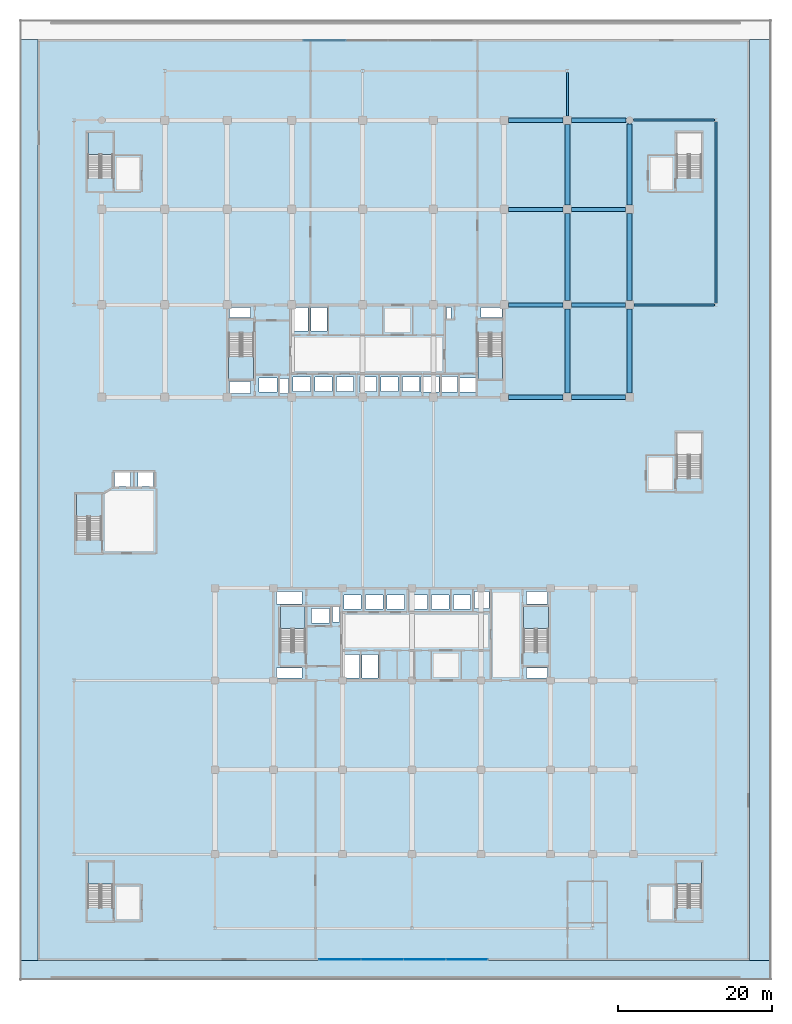
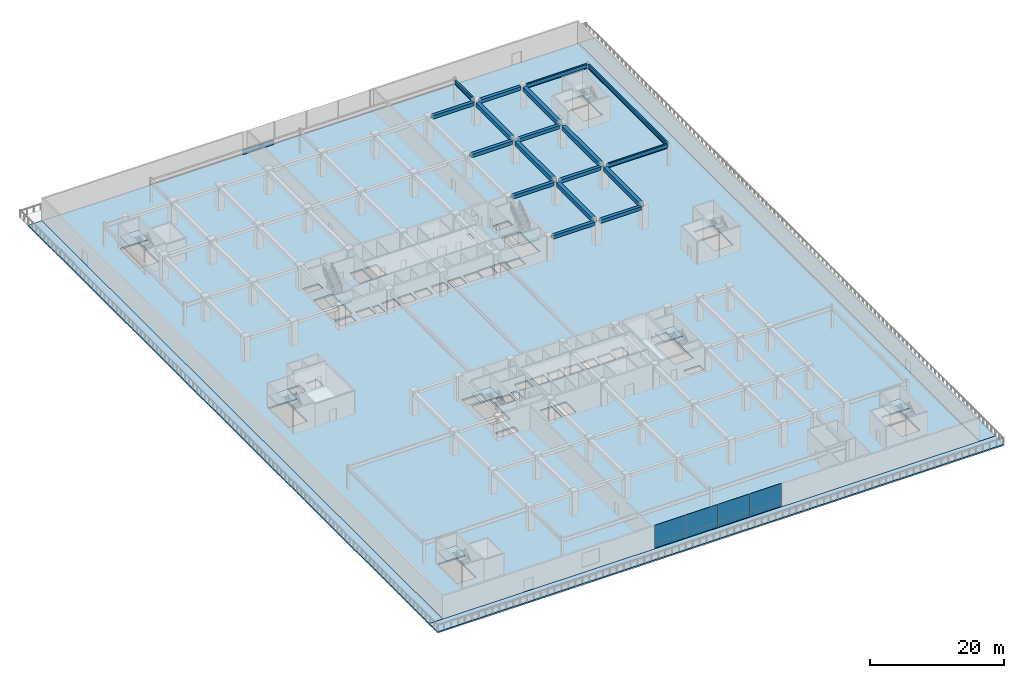
# One storey, part 16 of 40: 18 beams, 12 slabs, 9 plates, 10 elements without a shape of their own.
"""IFC4 building model written with IfcOpenShell, lengths in metres."""

from ifc_helpers import new_model, si_unit, direction, frame, origin, origin_2d, place, context, subcontext, project, spatial, polyline, rectangle, i_section, outline, extrude, material, layer, layer_set, material_profile, profile_set, type_object, element, aggregate, save


model = new_model("IFC4")

# Units and contexts
model_context = context("Model", 3, precision=1e-05, world=origin(), true_north=direction((0.0, 1.0)))
body_context = subcontext(model_context, "Body", "Model", "MODEL_VIEW")
ifc_project = project(units=[si_unit("LENGTHUNIT", "METRE"), si_unit("AREAUNIT", "SQUARE_METRE"), si_unit("VOLUMEUNIT", "CUBIC_METRE"), si_unit("PLANEANGLEUNIT", "RADIAN"), si_unit("MASSUNIT", "GRAM", prefix="KILO")], contexts=[model_context])

# Site, building, storey
site_placement = place(None, origin())
site = spatial("IfcSite", under=ifc_project, at=site_placement, CompositionType="ELEMENT")
building_placement = place(site_placement, origin())
building = spatial("IfcBuilding", under=site, at=building_placement, Name="Korimba Cascade Residences", CompositionType="ELEMENT")
storey_placement = place(building_placement, frame((0.0, 0.0, 14.5)))
storey = spatial("IfcBuildingStorey", under=building, at=storey_placement, Name="L03", CompositionType="ELEMENT", Elevation=14.5)

# Beams
ifc_material_1 = material(Name="Concrete C50/60", Category="concrete")
ifc_material_profile_1 = material_profile(ifc_material_1, rectangle(XDim=0.550048828125, YDim=0.60009765625, at=origin_2d()), Name="Concrete C50/60")
ifc_profile_set_1 = profile_set([ifc_material_profile_1], Name="Concrete C50/60")
beam_type_1 = type_object("IfcBeamType", Name="BM-RC-B600", PredefinedType="BEAM", material=ifc_profile_set_1)
beam_1_placement = place(storey_placement, frame((112.64990234375, 55.199951171875, 3.8798828125), z_axis=(1.0, 0.0, 0.0), x_axis=(0.0, 1.0, 0.0)))
element("IfcBeam", 1, at=beam_1_placement, inside=storey, type_object=beam_type_1, Name="L03 T1 E-W Girder Y1 Bay 7", PredefinedType="BEAM", context=body_context, shape_type="SweptSolid", body=[
    extrude(rectangle(XDim=0.550048828125, YDim=0.60009765625, at=origin_2d()), origin(), (0.0, 0.0, 1.0), 7.10009765625),
])
beam_2_placement = place(storey_placement, frame((120.85009765625, 55.199951171875, 3.8798828125), z_axis=(1.0, 0.0, 0.0), x_axis=(0.0, 1.0, 0.0)))
element("IfcBeam", 2, at=beam_2_placement, inside=storey, type_object=beam_type_1, Name="L03 T1 E-W Girder Y1 Bay 8", PredefinedType="BEAM", context=body_context, shape_type="SweptSolid", body=[
    extrude(rectangle(XDim=0.550048828125, YDim=0.60009765625, at=origin_2d()), origin(), (0.0, 0.0, 1.0), 7.0),
])
beam_3_placement = place(storey_placement, frame((112.64990234375, 67.199951171875, 3.8798828125), z_axis=(1.0, 0.0, 0.0), x_axis=(0.0, 1.0, 0.0)))
element("IfcBeam", 3, at=beam_3_placement, inside=storey, type_object=beam_type_1, Name="L03 T1 E-W Girder Y2 Bay 7", PredefinedType="BEAM", context=body_context, shape_type="SweptSolid", body=[
    extrude(rectangle(XDim=0.550048828125, YDim=0.60009765625, at=origin_2d()), origin(), (0.0, 0.0, 1.0), 7.10009765625),
])
beam_4_placement = place(storey_placement, frame((120.85009765625, 67.199951171875, 3.8798828125), z_axis=(1.0, 0.0, 0.0), x_axis=(0.0, 1.0, 0.0)))
element("IfcBeam", 4, at=beam_4_placement, inside=storey, type_object=beam_type_1, Name="L03 T1 E-W Girder Y2 Bay 8", PredefinedType="BEAM", context=body_context, shape_type="SweptSolid", body=[
    extrude(rectangle(XDim=0.550048828125, YDim=0.60009765625, at=origin_2d()), origin(), (0.0, 0.0, 1.0), 7.0),
])
beam_5_placement = place(storey_placement, frame((112.64990234375, 79.60009765625, 3.8798828125), z_axis=(1.0, 0.0, 0.0), x_axis=(0.0, 1.0, 0.0)))
element("IfcBeam", 5, at=beam_5_placement, inside=storey, type_object=beam_type_1, Name="L03 T1 E-W Girder Y3 Bay 7", PredefinedType="BEAM", context=body_context, shape_type="SweptSolid", body=[
    extrude(rectangle(XDim=0.550048828125, YDim=0.60009765625, at=origin_2d()), origin(), (0.0, 0.0, 1.0), 7.10009765625),
])
beam_6_placement = place(storey_placement, frame((120.85009765625, 79.60009765625, 3.8798828125), z_axis=(1.0, 0.0, 0.0), x_axis=(0.0, 1.0, 0.0)))
element("IfcBeam", 6, at=beam_6_placement, inside=storey, type_object=beam_type_1, Name="L03 T1 E-W Girder Y3 Bay 8", PredefinedType="BEAM", context=body_context, shape_type="SweptSolid", body=[
    extrude(rectangle(XDim=0.550048828125, YDim=0.60009765625, at=origin_2d()), origin(), (0.0, 0.0, 1.0), 7.0),
])
beam_7_placement = place(storey_placement, frame((112.64990234375, 91.199951171875, 3.8798828125), z_axis=(1.0, 0.0, 0.0), x_axis=(0.0, 1.0, 0.0)))
element("IfcBeam", 7, at=beam_7_placement, inside=storey, type_object=beam_type_1, Name="L03 T1 E-W Girder Y4 Bay 7", PredefinedType="BEAM", context=body_context, shape_type="SweptSolid", body=[
    extrude(rectangle(XDim=0.550048828125, YDim=0.60009765625, at=origin_2d()), origin(), (0.0, 0.0, 1.0), 7.10009765625),
])
beam_8_placement = place(storey_placement, frame((120.85009765625, 91.199951171875, 3.8798828125), z_axis=(1.0, 0.0, 0.0), x_axis=(0.0, 1.0, 0.0)))
element("IfcBeam", 8, at=beam_8_placement, inside=storey, type_object=beam_type_1, Name="L03 T1 E-W Girder Y4 Bay 8", PredefinedType="BEAM", context=body_context, shape_type="SweptSolid", body=[
    extrude(rectangle(XDim=0.550048828125, YDim=0.60009765625, at=origin_2d()), origin(), (0.0, 0.0, 1.0), 7.074951171875),
])
ifc_material_profile_2 = material_profile(ifc_material_1, rectangle(XDim=0.64990234375, YDim=0.75, at=origin_2d()), Name="Concrete C50/60")
ifc_profile_set_2 = profile_set([ifc_material_profile_2], Name="Concrete C50/60")
beam_type_2 = type_object("IfcBeamType", Name="BM-RC-G750", PredefinedType="BEAM", material=ifc_profile_set_2)
beam_9_placement = place(storey_placement, frame((120.300048828125, 55.75, 3.804931640625), z_axis=(0.0, 1.0, 0.0), x_axis=(-1.0, 0.0, 0.0)))
element("IfcBeam", 9, at=beam_9_placement, inside=storey, type_object=beam_type_2, Name="L03 T1 N-S Girder X8 Seg 1", PredefinedType="BEAM", context=body_context, shape_type="SweptSolid", body=[
    extrude(rectangle(XDim=0.64990234375, YDim=0.75, at=origin_2d()), origin(), (0.0, 0.0, 1.0), 10.89990234375),
])
beam_10_placement = place(storey_placement, frame((120.300048828125, 67.75, 3.804931640625), z_axis=(0.0, 1.0, 0.0), x_axis=(-1.0, 0.0, 0.0)))
element("IfcBeam", 10, at=beam_10_placement, inside=storey, type_object=beam_type_2, Name="L03 T1 N-S Girder X8 Seg 2", PredefinedType="BEAM", context=body_context, shape_type="SweptSolid", body=[
    extrude(rectangle(XDim=0.64990234375, YDim=0.75, at=origin_2d()), origin(), (0.0, 0.0, 1.0), 11.300048828125),
])
beam_11_placement = place(storey_placement, frame((120.300048828125, 80.14990234375, 3.804931640625), z_axis=(0.0, 1.0, 0.0), x_axis=(-1.0, 0.0, 0.0)))
element("IfcBeam", 11, at=beam_11_placement, inside=storey, type_object=beam_type_2, Name="L03 T1 N-S Girder X8 Seg 3", PredefinedType="BEAM", context=body_context, shape_type="SweptSolid", body=[
    extrude(rectangle(XDim=0.64990234375, YDim=0.75, at=origin_2d()), origin(), (0.0, 0.0, 1.0), 10.5),
])
beam_12_placement = place(storey_placement, frame((128.39990234375, 55.75, 3.804931640625), z_axis=(0.0, 1.0, 0.0), x_axis=(-1.0, 0.0, 0.0)))
element("IfcBeam", 12, at=beam_12_placement, inside=storey, type_object=beam_type_2, Name="L03 T1 N-S Girder X9 Seg 1", PredefinedType="BEAM", context=body_context, shape_type="SweptSolid", body=[
    extrude(rectangle(XDim=0.64990234375, YDim=0.75, at=origin_2d()), origin(), (0.0, 0.0, 1.0), 10.89990234375),
])
beam_13_placement = place(storey_placement, frame((128.39990234375, 67.75, 3.804931640625), z_axis=(0.0, 1.0, 0.0), x_axis=(-1.0, 0.0, 0.0)))
element("IfcBeam", 13, at=beam_13_placement, inside=storey, type_object=beam_type_2, Name="L03 T1 N-S Girder X9 Seg 2", PredefinedType="BEAM", context=body_context, shape_type="SweptSolid", body=[
    extrude(rectangle(XDim=0.64990234375, YDim=0.75, at=origin_2d()), origin(), (0.0, 0.0, 1.0), 11.300048828125),
])
beam_14_placement = place(storey_placement, frame((128.39990234375, 80.14990234375, 3.804931640625), z_axis=(0.0, 1.0, 0.0), x_axis=(-1.0, 0.0, 0.0)))
element("IfcBeam", 14, at=beam_14_placement, inside=storey, type_object=beam_type_2, Name="L03 T1 N-S Girder X9 Seg 3", PredefinedType="BEAM", context=body_context, shape_type="SweptSolid", body=[
    extrude(rectangle(XDim=0.64990234375, YDim=0.75, at=origin_2d()), origin(), (0.0, 0.0, 1.0), 10.5751953125),
])
ifc_material_2 = material(Name="Steel S355", Category="steel")
ifc_material_profile_3 = material_profile(ifc_material_2, i_section(OverallWidth=0.26806640625, OverallDepth=0.769775390625, WebThickness=0.015625, FlangeThickness=0.025390625, FilletRadius=0.0166015625, at=origin_2d()), Name="Steel S355")
ifc_profile_set_3 = profile_set([ifc_material_profile_3], Name="Steel S355")
beam_type_3 = type_object("IfcBeamType", Name="BM-STL-UB762", PredefinedType="BEAM", material=ifc_profile_set_3)
beam_15_placement = place(storey_placement, frame((128.949951171875, 67.199951171875, 3.795166015625), z_axis=(1.0, 0.0, 0.0), x_axis=(0.0, 1.0, 0.0)))
element("IfcBeam", 15, at=beam_15_placement, inside=storey, type_object=beam_type_3, Name="L03 Podium Frame Girder E3", PredefinedType="BEAM", context=body_context, shape_type="SweptSolid", body=[
    extrude(i_section(OverallWidth=0.26806640625, OverallDepth=0.769775390625, WebThickness=0.015625, FlangeThickness=0.025390625, FilletRadius=0.0166015625, at=origin_2d()), origin(), (0.0, 0.0, 1.0), 10.450439453125),
])
beam_16_placement = place(storey_placement, frame((128.875, 91.199951171875, 3.795166015625), z_axis=(1.0, 0.0, 0.0), x_axis=(0.0, 1.0, 0.0)))
element("IfcBeam", 16, at=beam_16_placement, inside=storey, type_object=beam_type_3, Name="L03 Podium Frame Girder E4", PredefinedType="BEAM", context=body_context, shape_type="SweptSolid", body=[
    extrude(i_section(OverallWidth=0.26806640625, OverallDepth=0.769775390625, WebThickness=0.015625, FlangeThickness=0.025390625, FilletRadius=0.0166015625, at=origin_2d()), origin(), (0.0, 0.0, 1.0), 10.525390625),
])
beam_17_placement = place(storey_placement, frame((139.60009765625, 67.396728515625, 3.795166015625), z_axis=(0.0, 1.0, 0.0), x_axis=(-1.0, 0.0, 0.0)))
element("IfcBeam", 17, at=beam_17_placement, inside=storey, type_object=beam_type_3, Name="L03 Podium Frame Girder ES", PredefinedType="BEAM", context=body_context, shape_type="SweptSolid", body=[
    extrude(i_section(OverallWidth=0.26806640625, OverallDepth=0.769775390625, WebThickness=0.015625, FlangeThickness=0.025390625, FilletRadius=0.0166015625, at=origin_2d()), origin(), (0.0, 0.0, 1.0), 23.6064453125),
])
beam_18_placement = place(storey_placement, frame((120.300048828125, 91.75, 3.795166015625), z_axis=(0.0, 1.0, 0.0), x_axis=(-1.0, 0.0, 0.0)))
element("IfcBeam", 18, at=beam_18_placement, inside=storey, type_object=beam_type_3, Name="L03 Podium Frame Girder N3", PredefinedType="BEAM", context=body_context, shape_type="SweptSolid", body=[
    extrude(i_section(OverallWidth=0.26806640625, OverallDepth=0.769775390625, WebThickness=0.015625, FlangeThickness=0.025390625, FilletRadius=0.0166015625, at=origin_2d()), origin(), (0.0, 0.0, 1.0), 5.6533203125),
])

# Curtain wall, plates
ifc_material_3 = material(Name="Anodised Aluminium Curtain Wall Framing", Category="aluminium")
ifc_layer_1 = layer(ifc_material_3, 0.179931640625)
ifc_layer_set_1 = layer_set([ifc_layer_1], Name="Anodised Aluminium Curtain Wall Framing")
curtain_wall_type = type_object("IfcCurtainWallType", Name="CW-POD-SYS1", PredefinedType="NOTDEFINED", material=ifc_layer_set_1)
curtain_wall_1_placement = place(storey_placement, origin())
curtain_wall_1 = element("IfcCurtainWall", 19, at=curtain_wall_1_placement, inside=storey, type_object=curtain_wall_type, Name="L03 Curtain Wall CW-L03-POD-S", PredefinedType="NOTDEFINED")
ifc_material_4 = material(Name="Insulated Stone-Tone Spandrel Panel", Category="masonry")
ifc_layer_2 = layer(ifc_material_4, 0.0400390625)
ifc_layer_set_2 = layer_set([ifc_layer_2], Name="Insulated Stone-Tone Spandrel Panel")
plate_type_1 = type_object("IfcPlateType", Name="CWP-SPN-40", PredefinedType="USERDEFINED", material=ifc_layer_set_2)
plate_1_placement = place(storey_placement, frame((90.77001953125, -17.85009765625, 0.0), z_axis=(0.0, 0.0, 1.0), x_axis=(1.0, 0.0, 0.0)))
plate_1 = element("IfcPlate", 20, at=plate_1_placement, type_object=plate_type_1, Name="CW-L03-POD-S Spandrel Panel 1", ObjectType="SPANDREL", PredefinedType="USERDEFINED", context=body_context, shape_type="SweptSolid", body=[
    extrude(rectangle(XDim=5.409912109375, YDim=0.0400390625, at=origin_2d()), origin(), (0.0, 0.0, 1.0), 0.89990234375),
])
plate_2_placement = place(storey_placement, frame((96.25, -17.85009765625, 0.0), z_axis=(0.0, 0.0, 1.0), x_axis=(1.0, 0.0, 0.0)))
plate_2 = element("IfcPlate", 21, at=plate_2_placement, type_object=plate_type_1, Name="CW-L03-POD-S Spandrel Panel 2", ObjectType="SPANDREL", PredefinedType="USERDEFINED", context=body_context, shape_type="SweptSolid", body=[
    extrude(rectangle(XDim=5.449951171875, YDim=0.0400390625, at=origin_2d()), origin(), (0.0, 0.0, 1.0), 0.89990234375),
])
plate_3_placement = place(storey_placement, frame((101.75, -17.85009765625, 0.0), z_axis=(0.0, 0.0, 1.0), x_axis=(1.0, 0.0, 0.0)))
plate_3 = element("IfcPlate", 22, at=plate_3_placement, type_object=plate_type_1, Name="CW-L03-POD-S Spandrel Panel 3", ObjectType="SPANDREL", PredefinedType="USERDEFINED", context=body_context, shape_type="SweptSolid", body=[
    extrude(rectangle(XDim=5.449951171875, YDim=0.0400390625, at=origin_2d()), origin(), (0.0, 0.0, 1.0), 0.89990234375),
])
plate_4_placement = place(storey_placement, frame((107.22998046875, -17.85009765625, 0.0), z_axis=(0.0, 0.0, 1.0), x_axis=(1.0, 0.0, 0.0)))
plate_4 = element("IfcPlate", 23, at=plate_4_placement, type_object=plate_type_1, Name="CW-L03-POD-S Spandrel Panel 4", ObjectType="SPANDREL", PredefinedType="USERDEFINED", context=body_context, shape_type="SweptSolid", body=[
    extrude(rectangle(XDim=5.409912109375, YDim=0.0400390625, at=origin_2d()), origin(), (0.0, 0.0, 1.0), 0.89990234375),
])

# Curtain wall, plate
curtain_wall_2_placement = place(storey_placement, origin())
curtain_wall_2 = element("IfcCurtainWall", 24, at=curtain_wall_2_placement, inside=storey, type_object=curtain_wall_type, Name="L03 Curtain Wall CW-L03-POD-N", PredefinedType="NOTDEFINED")
plate_5_placement = place(storey_placement, frame((88.77001953125, 101.550048828125, 0.0), z_axis=(0.0, 0.0, 1.0), x_axis=(-1.0, 0.0, 0.0)))
plate_5 = element("IfcPlate", 25, at=plate_5_placement, type_object=plate_type_1, Name="CW-L03-POD-N Spandrel Panel 4", ObjectType="SPANDREL", PredefinedType="USERDEFINED", context=body_context, shape_type="SweptSolid", body=[
    extrude(rectangle(XDim=5.409912109375, YDim=0.0400390625, at=origin_2d()), origin(), (0.0, 0.0, 1.0), 0.89990234375),
])
aggregate(curtain_wall_2, [plate_5])

# Plate
ifc_material_5 = material(Name="Low-E Double Glazing Unit", Category="glass")
ifc_layer_3 = layer(ifc_material_5, 0.028076171875)
ifc_layer_set_3 = layer_set([ifc_layer_3], Name="Low-E Double Glazing Unit")
plate_type_2 = type_object("IfcPlateType", Name="CWP-VIS-28", PredefinedType="CURTAIN_PANEL", material=ifc_layer_set_3)
plate_6_placement = place(storey_placement, frame((90.77001953125, -17.85009765625, 0.89990234375), z_axis=(0.0, 0.0, 1.0), x_axis=(1.0, 0.0, 0.0)))
plate_6 = element("IfcPlate", 26, at=plate_6_placement, type_object=plate_type_2, Name="CW-L03-POD-S Vision Glass Panel 1", PredefinedType="CURTAIN_PANEL", context=body_context, shape_type="SweptSolid", body=[
    extrude(rectangle(XDim=5.409912109375, YDim=0.028076171875, at=origin_2d()), origin(), (0.0, 0.0, 1.0), 3.280029296875),
])

plate_7_placement = place(storey_placement, frame((96.25, -17.85009765625, 0.89990234375), z_axis=(0.0, 0.0, 1.0), x_axis=(1.0, 0.0, 0.0)))
plate_7 = element("IfcPlate", 27, at=plate_7_placement, type_object=plate_type_2, Name="CW-L03-POD-S Vision Glass Panel 2", PredefinedType="CURTAIN_PANEL", context=body_context, shape_type="SweptSolid", body=[
    extrude(rectangle(XDim=5.449951171875, YDim=0.028076171875, at=origin_2d()), origin(), (0.0, 0.0, 1.0), 3.280029296875),
])

plate_8_placement = place(storey_placement, frame((101.75, -17.85009765625, 0.89990234375), z_axis=(0.0, 0.0, 1.0), x_axis=(1.0, 0.0, 0.0)))
plate_8 = element("IfcPlate", 28, at=plate_8_placement, type_object=plate_type_2, Name="CW-L03-POD-S Vision Glass Panel 3", PredefinedType="CURTAIN_PANEL", context=body_context, shape_type="SweptSolid", body=[
    extrude(rectangle(XDim=5.449951171875, YDim=0.028076171875, at=origin_2d()), origin(), (0.0, 0.0, 1.0), 3.280029296875),
])

plate_9_placement = place(storey_placement, frame((107.22998046875, -17.85009765625, 0.89990234375), z_axis=(0.0, 0.0, 1.0), x_axis=(1.0, 0.0, 0.0)))
plate_9 = element("IfcPlate", 29, at=plate_9_placement, type_object=plate_type_2, Name="CW-L03-POD-S Vision Glass Panel 4", PredefinedType="CURTAIN_PANEL", context=body_context, shape_type="SweptSolid", body=[
    extrude(rectangle(XDim=5.409912109375, YDim=0.028076171875, at=origin_2d()), origin(), (0.0, 0.0, 1.0), 3.280029296875),
])

aggregate(curtain_wall_1, [plate_1, plate_6, plate_2, plate_7, plate_3, plate_8, plate_4, plate_9])

# Stair, slab
stair_type_1 = type_object("IfcStairType", Name="STR-W1-24R-1875", PredefinedType="HALF_TURN_STAIR", material=ifc_material_1)
stair_1_placement = place(storey_placement, origin())
stair_1 = element("IfcStair", 30, at=stair_1_placement, inside=storey, type_object=stair_type_1, Name="L03 Tower 1 West Fire Stair ST-W1", PredefinedType="HALF_TURN_STAIR")
ifc_layer_4 = layer(ifc_material_1, 0.199951171875)
ifc_layer_set_4 = layer_set([ifc_layer_4], Name="Concrete C50/60")
slab_type_1 = type_object("IfcSlabType", Name="SLB-LND-220", PredefinedType="LANDING", material=ifc_layer_set_4)
slab_1_placement = place(storey_placement, frame((0.0, 0.0, 2.050048828125)))
slab_1 = element("IfcSlab", 31, at=slab_1_placement, type_object=slab_type_1, Name="ST-W1 landing 1", PredefinedType="LANDING", context=body_context, shape_type="SweptSolid", body=[
    extrude(outline(polyline([(76.300048828125, 60.469970703125), (76.300048828125, 57.60009765625), (79.5400390625, 57.60009765625), (79.5400390625, 60.469970703125), (76.300048828125, 60.469970703125)])), origin(), (0.0, 0.0, 1.0), 0.199951171875),
])
aggregate(stair_1, [slab_1])

stair_type_2 = type_object("IfcStairType", Name="STR-W2-24R-1875", PredefinedType="HALF_TURN_STAIR", material=ifc_material_1)
stair_2_placement = place(storey_placement, origin())
stair_2 = element("IfcStair", 32, at=stair_2_placement, inside=storey, type_object=stair_type_2, Name="L03 Tower 1 East Fire Stair ST-W2", PredefinedType="HALF_TURN_STAIR")
slab_2_placement = place(storey_placement, frame((0.0, 0.0, 2.050048828125)))
slab_2 = element("IfcSlab", 33, at=slab_2_placement, type_object=slab_type_1, Name="ST-W2 landing 1", PredefinedType="LANDING", context=body_context, shape_type="SweptSolid", body=[
    extrude(outline(polyline([(108.659912109375, 60.469970703125), (108.659912109375, 57.60009765625), (111.89990234375, 57.60009765625), (111.89990234375, 60.469970703125), (108.659912109375, 60.469970703125)])), origin(), (0.0, 0.0, 1.0), 0.199951171875),
])
aggregate(stair_2, [slab_2])

stair_type_3 = type_object("IfcStairType", Name="STR-E1-24R-1875", PredefinedType="HALF_TURN_STAIR", material=ifc_material_1)
stair_3_placement = place(storey_placement, origin())
stair_3 = element("IfcStair", 34, at=stair_3_placement, inside=storey, type_object=stair_type_3, Name="L03 Tower 2 West Fire Stair ST-E1", PredefinedType="HALF_TURN_STAIR")
slab_3_placement = place(storey_placement, frame((0.0, 0.0, 2.050048828125)))
slab_3 = element("IfcSlab", 35, at=slab_3_placement, type_object=slab_type_1, Name="ST-E1 landing 1", PredefinedType="LANDING", context=body_context, shape_type="SweptSolid", body=[
    extrude(outline(polyline([(86.239990234375, 25.1298828125), (86.239990234375, 28.0), (83.0, 28.0), (83.0, 25.1298828125), (86.239990234375, 25.1298828125)])), origin(), (0.0, 0.0, 1.0), 0.199951171875),
])
aggregate(stair_3, [slab_3])

stair_type_4 = type_object("IfcStairType", Name="STR-E2-24R-1875", PredefinedType="HALF_TURN_STAIR", material=ifc_material_1)
stair_4_placement = place(storey_placement, origin())
stair_4 = element("IfcStair", 36, at=stair_4_placement, inside=storey, type_object=stair_type_4, Name="L03 Tower 2 East Fire Stair ST-E2", PredefinedType="HALF_TURN_STAIR")
slab_4_placement = place(storey_placement, frame((0.0, 0.0, 2.050048828125)))
slab_4 = element("IfcSlab", 37, at=slab_4_placement, type_object=slab_type_1, Name="ST-E2 landing 1", PredefinedType="LANDING", context=body_context, shape_type="SweptSolid", body=[
    extrude(outline(polyline([(117.840087890625, 25.1298828125), (117.840087890625, 28.0), (114.60009765625, 28.0), (114.60009765625, 25.1298828125), (117.840087890625, 25.1298828125)])), origin(), (0.0, 0.0, 1.0), 0.199951171875),
])
aggregate(stair_4, [slab_4])

stair_type_5 = type_object("IfcStairType", Name="STR-P1-24R-1875", PredefinedType="HALF_TURN_STAIR", material=ifc_material_1)
stair_5_placement = place(storey_placement, origin())
stair_5 = element("IfcStair", 38, at=stair_5_placement, inside=storey, type_object=stair_type_5, Name="L03 Podium West Fire Stair ST-P1", PredefinedType="HALF_TURN_STAIR")
slab_5_placement = place(storey_placement, frame((0.0, 0.0, 2.050048828125)))
slab_5 = element("IfcSlab", 39, at=slab_5_placement, type_object=slab_type_1, Name="ST-P1 landing 1", PredefinedType="LANDING", context=body_context, shape_type="SweptSolid", body=[
    extrude(outline(polyline([(59.739990234375, 39.72998046875), (59.739990234375, 42.60009765625), (56.5, 42.60009765625), (56.5, 39.72998046875), (59.739990234375, 39.72998046875)])), origin(), (0.0, 0.0, 1.0), 0.199951171875),
])
aggregate(stair_5, [slab_5])

stair_type_6 = type_object("IfcStairType", Name="STR-P3-24R-1875", PredefinedType="HALF_TURN_STAIR", material=ifc_material_1)
stair_6_placement = place(storey_placement, origin())
stair_6 = element("IfcStair", 40, at=stair_6_placement, inside=storey, type_object=stair_type_6, Name="L03 Podium South-West Corner Fire Stair ST-P3", PredefinedType="HALF_TURN_STAIR")
slab_6_placement = place(storey_placement, frame((0.0, 0.0, 2.050048828125)))
slab_6 = element("IfcSlab", 41, at=slab_6_placement, type_object=slab_type_1, Name="ST-P3 landing 1", PredefinedType="LANDING", context=body_context, shape_type="SweptSolid", body=[
    extrude(outline(polyline([(61.239990234375, -8.070068359375), (61.239990234375, -5.199951171875), (58.0, -5.199951171875), (58.0, -8.070068359375), (61.239990234375, -8.070068359375)])), origin(), (0.0, 0.0, 1.0), 0.199951171875),
])
aggregate(stair_6, [slab_6])

stair_type_7 = type_object("IfcStairType", Name="STR-P5-24R-1875", PredefinedType="HALF_TURN_STAIR", material=ifc_material_1)
stair_7_placement = place(storey_placement, origin())
stair_7 = element("IfcStair", 42, at=stair_7_placement, inside=storey, type_object=stair_type_7, Name="L03 Podium North-West Corner Fire Stair ST-P5", PredefinedType="HALF_TURN_STAIR")
slab_7_placement = place(storey_placement, frame((0.0, 0.0, 2.050048828125)))
slab_7 = element("IfcSlab", 43, at=slab_7_placement, type_object=slab_type_1, Name="ST-P5 landing 1", PredefinedType="LANDING", context=body_context, shape_type="SweptSolid", body=[
    extrude(outline(polyline([(61.239990234375, 86.72998046875), (61.239990234375, 89.60009765625), (58.0, 89.60009765625), (58.0, 86.72998046875), (61.239990234375, 86.72998046875)])), origin(), (0.0, 0.0, 1.0), 0.199951171875),
])
aggregate(stair_7, [slab_7])

stair_type_8 = type_object("IfcStairType", Name="STR-P6-24R-1875", PredefinedType="HALF_TURN_STAIR", material=ifc_material_1)
stair_8_placement = place(storey_placement, origin())
stair_8 = element("IfcStair", 44, at=stair_8_placement, inside=storey, type_object=stair_type_8, Name="L03 Podium South-East Corner Fire Stair ST-P6", PredefinedType="HALF_TURN_STAIR")
slab_8_placement = place(storey_placement, frame((0.0, 0.0, 2.050048828125)))
slab_8 = element("IfcSlab", 45, at=slab_8_placement, type_object=slab_type_1, Name="ST-P6 landing 1", PredefinedType="LANDING", context=body_context, shape_type="SweptSolid", body=[
    extrude(outline(polyline([(137.739990234375, -8.070068359375), (137.739990234375, -5.199951171875), (134.5, -5.199951171875), (134.5, -8.070068359375), (137.739990234375, -8.070068359375)])), origin(), (0.0, 0.0, 1.0), 0.199951171875),
])
aggregate(stair_8, [slab_8])

# Slabs
ifc_layer_5 = layer(ifc_material_1, 0.300048828125)
ifc_layer_set_5 = layer_set([ifc_layer_5], Name="Concrete C50/60")
slab_type_2 = type_object("IfcSlabType", Name="SLB-POD-300", PredefinedType="FLOOR", material=ifc_layer_set_5)
slab_9_placement = place(storey_placement, frame((0.0, 0.0, -0.300048828125)))
element("IfcSlab", 46, at=slab_9_placement, inside=storey, type_object=slab_type_2, Name="L03 Podium Floor Slab", PredefinedType="FLOOR", context=body_context, shape_type="SweptSolid", body=[
    extrude(outline(polyline([(51.5, -18.0), (144.0, -18.0), (144.0, 101.699951171875), (51.5, 101.699951171875), (51.5, -18.0)]), holes=[polyline([(76.300048828125, 63.514892578125), (76.300048828125, 57.60009765625), (79.5400390625, 57.60009765625), (79.5400390625, 63.514892578125), (76.300048828125, 63.514892578125)]), polyline([(108.659912109375, 63.514892578125), (108.659912109375, 57.60009765625), (111.89990234375, 57.60009765625), (111.89990234375, 63.514892578125), (108.659912109375, 63.514892578125)]), polyline([(86.239990234375, 22.0849609375), (86.239990234375, 28.0), (83.0, 28.0), (83.0, 22.0849609375), (86.239990234375, 22.0849609375)]), polyline([(117.840087890625, 22.0849609375), (117.840087890625, 28.0), (114.60009765625, 28.0), (114.60009765625, 22.0849609375), (117.840087890625, 22.0849609375)]), polyline([(59.739990234375, 36.68505859375), (59.739990234375, 42.60009765625), (56.5, 42.60009765625), (56.5, 36.68505859375), (59.739990234375, 36.68505859375)]), polyline([(137.739990234375, 44.68505859375), (137.739990234375, 50.60009765625), (134.5, 50.60009765625), (134.5, 44.68505859375), (137.739990234375, 44.68505859375)]), polyline([(61.239990234375, -11.114990234375), (61.239990234375, -5.199951171875), (58.0, -5.199951171875), (58.0, -11.114990234375), (61.239990234375, -11.114990234375)]), polyline([(137.739990234375, 83.68505859375), (137.739990234375, 89.60009765625), (134.5, 89.60009765625), (134.5, 83.68505859375), (137.739990234375, 83.68505859375)]), polyline([(61.239990234375, 83.68505859375), (61.239990234375, 89.60009765625), (58.0, 89.60009765625), (58.0, 83.68505859375), (61.239990234375, 83.68505859375)]), polyline([(137.739990234375, -11.114990234375), (137.739990234375, -5.199951171875), (134.5, -5.199951171875), (134.5, -11.114990234375), (137.739990234375, -11.114990234375)]), polyline([(80.22998046875, 55.8798828125), (82.570068359375, 55.8798828125), (82.570068359375, 57.719970703125), (80.22998046875, 57.719970703125), (80.22998046875, 55.8798828125)]), polyline([(106.080078125, 55.8798828125), (108.419921875, 55.8798828125), (108.419921875, 57.719970703125), (106.080078125, 57.719970703125), (106.080078125, 55.8798828125)]), polyline([(87.030029296875, 25.8798828125), (89.3701171875, 25.8798828125), (89.3701171875, 27.719970703125), (87.030029296875, 27.719970703125), (87.030029296875, 25.8798828125)]), polyline([(84.679931640625, 55.97998046875), (86.919921875, 55.97998046875), (86.919921875, 57.820068359375), (84.679931640625, 57.820068359375), (84.679931640625, 55.97998046875)]), polyline([(87.47998046875, 55.97998046875), (89.719970703125, 55.97998046875), (89.719970703125, 57.820068359375), (87.47998046875, 57.820068359375), (87.47998046875, 55.97998046875)]), polyline([(90.280029296875, 55.97998046875), (92.52001953125, 55.97998046875), (92.52001953125, 57.820068359375), (90.280029296875, 57.820068359375), (90.280029296875, 55.97998046875)]), polyline([(93.280029296875, 55.97998046875), (95.52001953125, 55.97998046875), (95.52001953125, 57.820068359375), (93.280029296875, 57.820068359375), (93.280029296875, 55.97998046875)]), polyline([(96.080078125, 55.97998046875), (98.320068359375, 55.97998046875), (98.320068359375, 57.820068359375), (96.080078125, 57.820068359375), (96.080078125, 55.97998046875)]), polyline([(98.8798828125, 55.97998046875), (101.1201171875, 55.97998046875), (101.1201171875, 57.820068359375), (98.8798828125, 57.820068359375), (98.8798828125, 55.97998046875)]), polyline([(101.304931640625, 55.8798828125), (103.594970703125, 55.8798828125), (103.594970703125, 57.919921875), (101.304931640625, 57.919921875), (101.304931640625, 55.8798828125)]), polyline([(103.705078125, 55.8798828125), (105.9951171875, 55.8798828125), (105.9951171875, 57.919921875), (103.705078125, 57.919921875), (103.705078125, 55.8798828125)]), polyline([(91.280029296875, 27.679931640625), (93.52001953125, 27.679931640625), (93.52001953125, 29.52001953125), (91.280029296875, 29.52001953125), (91.280029296875, 27.679931640625)]), polyline([(94.080078125, 27.679931640625), (96.320068359375, 27.679931640625), (96.320068359375, 29.52001953125), (94.080078125, 29.52001953125), (94.080078125, 27.679931640625)]), polyline([(96.8798828125, 27.679931640625), (99.1201171875, 27.679931640625), (99.1201171875, 29.52001953125), (96.8798828125, 29.52001953125), (96.8798828125, 27.679931640625)]), polyline([(99.8798828125, 27.679931640625), (102.1201171875, 27.679931640625), (102.1201171875, 29.52001953125), (99.8798828125, 29.52001953125), (99.8798828125, 27.679931640625)]), polyline([(102.679931640625, 27.679931640625), (104.919921875, 27.679931640625), (104.919921875, 29.52001953125), (102.679931640625, 29.52001953125), (102.679931640625, 27.679931640625)]), polyline([(105.47998046875, 27.679931640625), (107.719970703125, 27.679931640625), (107.719970703125, 29.52001953125), (105.47998046875, 29.52001953125), (105.47998046875, 27.679931640625)]), polyline([(61.47998046875, 43.580078125), (63.52001953125, 43.580078125), (63.52001953125, 45.419921875), (61.47998046875, 45.419921875), (61.47998046875, 43.580078125)]), polyline([(64.47998046875, 43.580078125), (66.52001953125, 43.580078125), (66.52001953125, 45.419921875), (64.47998046875, 45.419921875), (64.47998046875, 43.580078125)]), polyline([(82.97998046875, 55.679931640625), (84.080078125, 55.679931640625), (84.080078125, 57.6201171875), (82.97998046875, 57.6201171875), (82.97998046875, 55.679931640625)]), polyline([(76.39990234375, 65.56005859375), (79.10009765625, 65.56005859375), (79.10009765625, 66.8798828125), (76.39990234375, 66.8798828125), (76.39990234375, 65.56005859375)]), polyline([(76.39990234375, 55.679931640625), (79.10009765625, 55.679931640625), (79.10009765625, 57.239990234375), (76.39990234375, 57.239990234375), (76.39990234375, 55.679931640625)]), polyline([(84.530029296875, 63.820068359375), (86.6201171875, 63.820068359375), (86.6201171875, 66.8798828125), (84.530029296875, 66.8798828125), (84.530029296875, 63.820068359375)]), polyline([(86.97998046875, 63.820068359375), (89.070068359375, 63.820068359375), (89.070068359375, 66.8798828125), (86.97998046875, 66.8798828125), (86.97998046875, 63.820068359375)]), polyline([(104.6201171875, 65.4599609375), (105.179931640625, 65.4599609375), (105.179931640625, 66.8798828125), (104.6201171875, 66.8798828125), (104.6201171875, 65.4599609375)]), polyline([(109.080078125, 65.56005859375), (111.800048828125, 65.56005859375), (111.800048828125, 66.8798828125), (109.080078125, 66.8798828125), (109.080078125, 65.56005859375)]), polyline([(89.780029296875, 25.97998046875), (90.719970703125, 25.97998046875), (90.719970703125, 27.919921875), (89.780029296875, 27.919921875), (89.780029296875, 25.97998046875)]), polyline([(82.530029296875, 18.72998046875), (85.800048828125, 18.72998046875), (85.800048828125, 20.0400390625), (82.530029296875, 20.0400390625), (82.530029296875, 18.72998046875)]), polyline([(82.530029296875, 28.360107421875), (85.800048828125, 28.360107421875), (85.800048828125, 29.969970703125), (82.530029296875, 29.969970703125), (82.530029296875, 28.360107421875)]), polyline([(108.22998046875, 27.780029296875), (110.1201171875, 27.780029296875), (110.1201171875, 29.969970703125), (108.22998046875, 29.969970703125), (108.22998046875, 27.780029296875)]), polyline([(91.22998046875, 18.72998046875), (93.27001953125, 18.72998046875), (93.27001953125, 21.780029296875), (91.22998046875, 21.780029296875), (91.22998046875, 18.72998046875)]), polyline([(93.6298828125, 18.72998046875), (95.719970703125, 18.72998046875), (95.719970703125, 21.780029296875), (93.6298828125, 21.780029296875), (93.6298828125, 18.72998046875)]), polyline([(115.02001953125, 18.72998046875), (117.739990234375, 18.72998046875), (117.739990234375, 20.0400390625), (115.02001953125, 20.0400390625), (115.02001953125, 18.72998046875)]), polyline([(115.02001953125, 28.360107421875), (117.739990234375, 28.360107421875), (117.739990234375, 29.969970703125), (115.02001953125, 29.969970703125), (115.02001953125, 28.360107421875)])]), origin(), (0.0, 0.0, 1.0), 0.300048828125),
])
ifc_layer_6 = layer(ifc_material_1, 0.260009765625)
ifc_layer_set_6 = layer_set([ifc_layer_6], Name="Concrete C50/60")
slab_type_3 = type_object("IfcSlabType", Name="SLB-TER-260", PredefinedType="FLOOR", material=ifc_layer_set_6)
slab_10_placement = place(storey_placement, frame((0.0, 0.0, -0.260009765625)))
element("IfcSlab", 47, at=slab_10_placement, inside=storey, type_object=slab_type_3, Name="L03 Cascading Garden Terrace Slab S", PredefinedType="FLOOR", context=body_context, shape_type="SweptSolid", body=[
    extrude(outline(polyline([(49.199951171875, -20.5), (146.800048828125, -20.5), (146.800048828125, -18.0), (49.199951171875, -18.0), (49.199951171875, -20.5)])), origin(), (0.0, 0.0, 1.0), 0.260009765625),
])
slab_11_placement = place(storey_placement, frame((0.0, 0.0, -0.260009765625)))
element("IfcSlab", 48, at=slab_11_placement, inside=storey, type_object=slab_type_3, Name="L03 Cascading Garden Terrace Slab W", PredefinedType="FLOOR", context=body_context, shape_type="SweptSolid", body=[
    extrude(outline(polyline([(49.199951171875, -18.0), (51.5, -18.0), (51.5, 101.699951171875), (49.199951171875, 101.699951171875), (49.199951171875, -18.0)])), origin(), (0.0, 0.0, 1.0), 0.260009765625),
])
slab_12_placement = place(storey_placement, frame((0.0, 0.0, -0.260009765625)))
element("IfcSlab", 49, at=slab_12_placement, inside=storey, type_object=slab_type_3, Name="L03 Cascading Garden Terrace Slab E", PredefinedType="FLOOR", context=body_context, shape_type="SweptSolid", body=[
    extrude(outline(polyline([(144.0, -18.0), (146.800048828125, -18.0), (146.800048828125, 101.699951171875), (144.0, 101.699951171875), (144.0, -18.0)])), origin(), (0.0, 0.0, 1.0), 0.260009765625),
])

save(model, "model.ifc")
